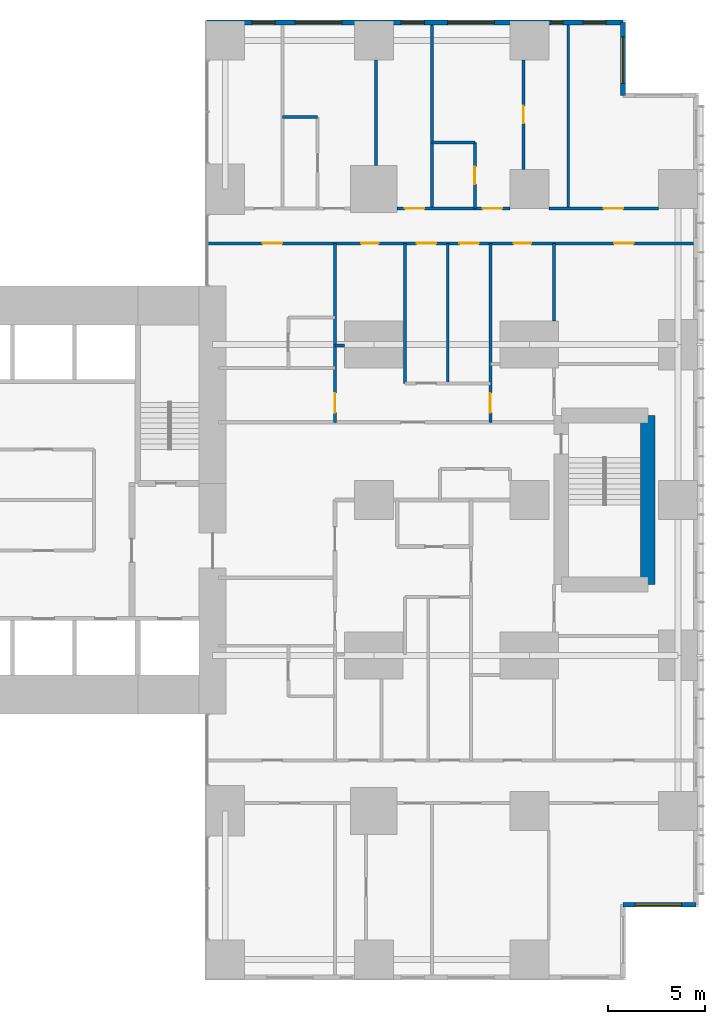
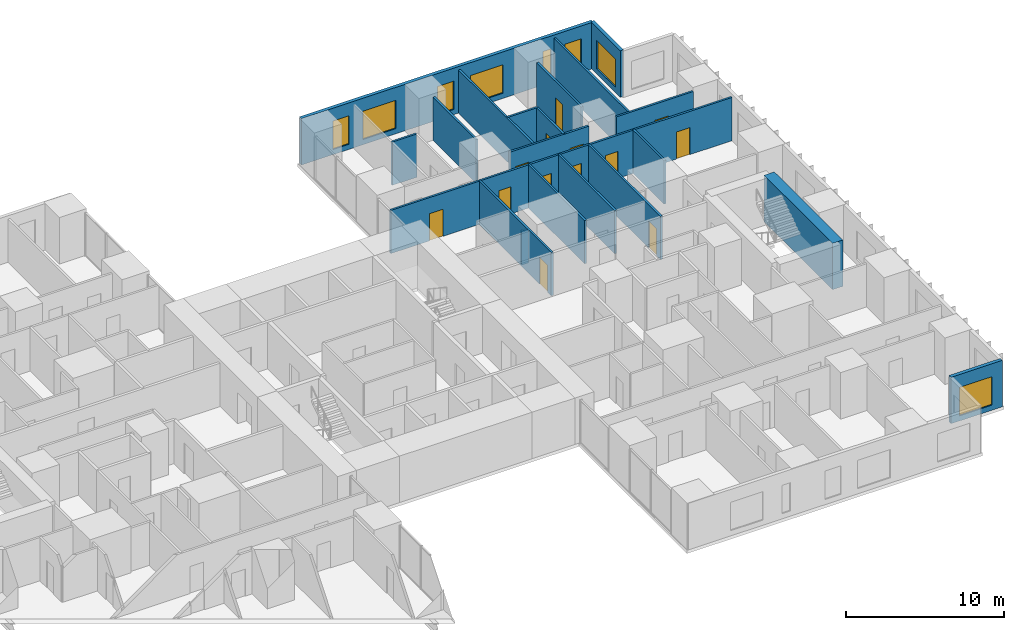
# One storey, part 18 of 20: 20 walls, 13 doors, 8 windows, 21 openings.
"""IFC4 building model written with IfcOpenShell, lengths in metres."""

from ifc_helpers import new_model, si_unit, direction, frame, frame_2d, origin, place, context, subcontext, project, spatial, rectangle, extrude, material, layer, layer_set, type_object, element, fill, save


model = new_model("IFC4")

# Units and contexts
model_context = context("Model", 3, precision=1e-05, world=origin(), true_north=direction((0.0, 1.0)))
body_context = subcontext(model_context, "Body", "Model", "MODEL_VIEW")
ifc_project = project(units=[si_unit("LENGTHUNIT", "METRE"), si_unit("AREAUNIT", "SQUARE_METRE"), si_unit("VOLUMEUNIT", "CUBIC_METRE"), si_unit("PLANEANGLEUNIT", "RADIAN"), si_unit("MASSUNIT", "GRAM", prefix="KILO")], contexts=[model_context])

# Site, building, storey
site_placement = place(None, origin())
site = spatial("IfcSite", under=ifc_project, at=site_placement, CompositionType="ELEMENT")
building_placement = place(site_placement, origin())
building = spatial("IfcBuilding", under=site, at=building_placement, Name="Cleftline Residences", CompositionType="ELEMENT")
storey_placement = place(building_placement, frame((0.0, 0.0, 146.60009765625)))
storey = spatial("IfcBuildingStorey", under=building, at=storey_placement, Name="L38", CompositionType="ELEMENT", Elevation=146.60009765625)

# Wall, opening, window
ifc_material_1 = material(Name="Rendered reinforced concrete blockwork", Category="masonry")
ifc_layer_1 = layer(ifc_material_1, 0.25)
ifc_layer_set_1 = layer_set([ifc_layer_1], Name="EXTERNAL WALL 250")
wall_type_1 = type_object("IfcWallType", Name="EXTERNAL WALL 250", PredefinedType="SOLIDWALL", material=ifc_layer_set_1)
wall_1_placement = place(storey_placement, frame((62.824951171875, 3.175048828125, 0.0), z_axis=(0.0, 0.0, 1.0), x_axis=(1.0, 0.0, 0.0)))
wall_1 = element("IfcWall", 1, at=wall_1_placement, inside=storey, type_object=wall_type_1, Name="External wall", PredefinedType="SOLIDWALL", context=body_context, shape_type="SweptSolid", body=[
    extrude(rectangle(XDim=3.75, YDim=0.25, at=frame_2d((1.875, 0.0))), origin(), (0.0, 0.0, 1.0), 3.599853515625),
])
opening_1_placement = place(wall_1_placement, frame((0.612548828125, 0.0, 0.39990234375)))
opening_1 = element("IfcOpeningElement", 2, at=opening_1_placement, cuts=wall_1, Name="Opening W12", PredefinedType="OPENING", context=body_context, shape_type="SweptSolid", body=[
    extrude(rectangle(XDim=2.39990234375, YDim=2.199951171875, at=frame_2d((1.199951171875, 1.10009765625))), frame((0.0, 0.135009765625, 0.0), z_axis=(0.0, -1.0, 0.0), x_axis=(1.0, 0.0, 0.0)), (0.0, 0.0, 1.0), 0.27001953125),
])
ifc_material_2 = material(Name="Aluminium frame, clear double glazing", Category="aluminium")
window_type_1 = type_object("IfcWindowType", Name="WINDOW 2400X2200", PartitioningType="DOUBLE_PANEL_VERTICAL", PredefinedType="WINDOW", material=ifc_material_2)
window_1_placement = place(opening_1_placement, origin())
window_1 = element("IfcWindow", 3, at=window_1_placement, inside=storey, type_object=window_type_1, Name="Window", OverallHeight=2.199951171875, OverallWidth=2.39990234375, PartitioningType="SINGLE_PANEL", PredefinedType="WINDOW", context=body_context, shape_type="SweptSolid", body=[
    extrude(rectangle(XDim=2.39990234375, YDim=2.199951171875, at=frame_2d((1.199951171875, 1.10009765625))), frame((0.0, 0.030029296875, 0.0), z_axis=(0.0, -1.0, 0.0), x_axis=(1.0, 0.0, 0.0)), (0.0, 0.0, 1.0), 0.06005859375),
])
fill(opening_1, window_1)

wall_2_placement = place(storey_placement, frame((62.824951171875, 44.824951171875, 0.0), z_axis=(0.0, 0.0, 1.0), x_axis=(0.0, 1.0, 0.0)))
wall_2 = element("IfcWall", 4, at=wall_2_placement, inside=storey, type_object=wall_type_1, Name="External wall", PredefinedType="SOLIDWALL", context=body_context, shape_type="SweptSolid", body=[
    extrude(rectangle(XDim=3.75, YDim=0.25, at=frame_2d((1.875, 0.0))), origin(), (0.0, 0.0, 1.0), 3.599853515625),
])
opening_2_placement = place(wall_2_placement, frame((0.612548828125, 0.0, 0.39990234375)))
opening_2 = element("IfcOpeningElement", 5, at=opening_2_placement, cuts=wall_2, Name="Opening W12", PredefinedType="OPENING", context=body_context, shape_type="SweptSolid", body=[
    extrude(rectangle(XDim=2.39990234375, YDim=2.199951171875, at=frame_2d((1.199951171875, 1.10009765625))), frame((0.0, 0.135009765625, 0.0), z_axis=(0.0, -1.0, 0.0), x_axis=(1.0, 0.0, 0.0)), (0.0, 0.0, 1.0), 0.27001953125),
])
window_2_placement = place(opening_2_placement, origin())
window_2 = element("IfcWindow", 6, at=window_2_placement, inside=storey, type_object=window_type_1, Name="Window", OverallHeight=2.199951171875, OverallWidth=2.39990234375, PartitioningType="SINGLE_PANEL", PredefinedType="WINDOW", context=body_context, shape_type="SweptSolid", body=[
    extrude(rectangle(XDim=2.39990234375, YDim=2.199951171875, at=frame_2d((1.199951171875, 1.10009765625))), frame((0.0, 0.030029296875, 0.0), z_axis=(0.0, -1.0, 0.0), x_axis=(1.0, 0.0, 0.0)), (0.0, 0.0, 1.0), 0.06005859375),
])
fill(opening_2, window_2)

# Wall, openings, windows
wall_3_placement = place(storey_placement, frame((62.824951171875, 48.574951171875, 0.0), z_axis=(0.0, 0.0, 1.0), x_axis=(-1.0, 0.0, 0.0)))
wall_3 = element("IfcWall", 7, at=wall_3_placement, inside=storey, type_object=wall_type_1, Name="External wall", PredefinedType="SOLIDWALL", context=body_context, shape_type="SweptSolid", body=[
    extrude(rectangle(XDim=21.39990234375, YDim=0.25, at=frame_2d((10.699951171875, 0.0))), origin(), (0.0, 0.0, 1.0), 3.599853515625),
])
opening_3_placement = place(wall_3_placement, frame((0.875, 0.0, 0.39990234375)))
opening_3 = element("IfcOpeningElement", 8, at=opening_3_placement, cuts=wall_3, Name="Opening W11", PredefinedType="OPENING", context=body_context, shape_type="SweptSolid", body=[
    extrude(rectangle(XDim=1.199951171875, YDim=2.199951171875, at=frame_2d((0.60009765625, 1.10009765625))), frame((0.0, 0.135009765625, 0.0), z_axis=(0.0, -1.0, 0.0), x_axis=(1.0, 0.0, 0.0)), (0.0, 0.0, 1.0), 0.27001953125),
])
opening_4_placement = place(wall_3_placement, frame((3.10009765625, 0.0, 0.39990234375)))
opening_4 = element("IfcOpeningElement", 9, at=opening_4_placement, cuts=wall_3, Name="Opening W10", PredefinedType="OPENING", context=body_context, shape_type="SweptSolid", body=[
    extrude(rectangle(XDim=0.60009765625, YDim=2.199951171875, at=frame_2d((0.300048828125, 1.10009765625))), frame((0.0, 0.135009765625, 0.0), z_axis=(0.0, -1.0, 0.0), x_axis=(1.0, 0.0, 0.0)), (0.0, 0.0, 1.0), 0.27001953125),
])
opening_5_placement = place(wall_3_placement, frame((6.625, 0.0, 0.39990234375)))
opening_5 = element("IfcOpeningElement", 10, at=opening_5_placement, cuts=wall_3, Name="Opening W12", PredefinedType="OPENING", context=body_context, shape_type="SweptSolid", body=[
    extrude(rectangle(XDim=2.39990234375, YDim=2.199951171875, at=frame_2d((1.199951171875, 1.10009765625))), frame((0.0, 0.135009765625, 0.0), z_axis=(0.0, -1.0, 0.0), x_axis=(1.0, 0.0, 0.0)), (0.0, 0.0, 1.0), 0.27001953125),
])
opening_6_placement = place(wall_3_placement, frame((10.22509765625, 0.0, 0.39990234375)))
opening_6 = element("IfcOpeningElement", 11, at=opening_6_placement, cuts=wall_3, Name="Opening W11", PredefinedType="OPENING", context=body_context, shape_type="SweptSolid", body=[
    extrude(rectangle(XDim=1.199951171875, YDim=2.199951171875, at=frame_2d((0.60009765625, 1.10009765625))), frame((0.0, 0.135009765625, 0.0), z_axis=(0.0, -1.0, 0.0), x_axis=(1.0, 0.0, 0.0)), (0.0, 0.0, 1.0), 0.27001953125),
])
opening_7_placement = place(wall_3_placement, frame((14.47509765625, 0.0, 0.39990234375)))
opening_7 = element("IfcOpeningElement", 12, at=opening_7_placement, cuts=wall_3, Name="Opening W12", PredefinedType="OPENING", context=body_context, shape_type="SweptSolid", body=[
    extrude(rectangle(XDim=2.39990234375, YDim=2.199951171875, at=frame_2d((1.199951171875, 1.10009765625))), frame((0.0, 0.135009765625, 0.0), z_axis=(0.0, -1.0, 0.0), x_axis=(1.0, 0.0, 0.0)), (0.0, 0.0, 1.0), 0.27001953125),
])
opening_8_placement = place(wall_3_placement, frame((17.89990234375, 0.0, 0.39990234375)))
opening_8 = element("IfcOpeningElement", 13, at=opening_8_placement, cuts=wall_3, Name="Opening W11", PredefinedType="OPENING", context=body_context, shape_type="SweptSolid", body=[
    extrude(rectangle(XDim=1.199951171875, YDim=2.199951171875, at=frame_2d((0.60009765625, 1.10009765625))), frame((0.0, 0.135009765625, 0.0), z_axis=(0.0, -1.0, 0.0), x_axis=(1.0, 0.0, 0.0)), (0.0, 0.0, 1.0), 0.27001953125),
])
ifc_material_3 = material(Name="Aluminium frame, clear double glazing", Category="aluminium")
window_type_2 = type_object("IfcWindowType", Name="WINDOW 1200X2200", PartitioningType="DOUBLE_PANEL_VERTICAL", PredefinedType="WINDOW", material=ifc_material_3)
window_3_placement = place(opening_3_placement, origin())
window_3 = element("IfcWindow", 14, at=window_3_placement, inside=storey, type_object=window_type_2, Name="Window", OverallHeight=2.199951171875, OverallWidth=1.199951171875, PartitioningType="SINGLE_PANEL", PredefinedType="WINDOW", context=body_context, shape_type="SweptSolid", body=[
    extrude(rectangle(XDim=1.199951171875, YDim=2.199951171875, at=frame_2d((0.60009765625, 1.10009765625))), frame((0.0, 0.030029296875, 0.0), z_axis=(0.0, -1.0, 0.0), x_axis=(1.0, 0.0, 0.0)), (0.0, 0.0, 1.0), 0.06005859375),
])
fill(opening_3, window_3)
window_4_placement = place(opening_6_placement, origin())
window_4 = element("IfcWindow", 15, at=window_4_placement, inside=storey, type_object=window_type_2, Name="Window", OverallHeight=2.199951171875, OverallWidth=1.199951171875, PartitioningType="SINGLE_PANEL", PredefinedType="WINDOW", context=body_context, shape_type="SweptSolid", body=[
    extrude(rectangle(XDim=1.199951171875, YDim=2.199951171875, at=frame_2d((0.60009765625, 1.10009765625))), frame((0.0, 0.030029296875, 0.0), z_axis=(0.0, -1.0, 0.0), x_axis=(1.0, 0.0, 0.0)), (0.0, 0.0, 1.0), 0.06005859375),
])
fill(opening_6, window_4)
window_5_placement = place(opening_8_placement, origin())
window_5 = element("IfcWindow", 16, at=window_5_placement, inside=storey, type_object=window_type_2, Name="Window", OverallHeight=2.199951171875, OverallWidth=1.199951171875, PartitioningType="SINGLE_PANEL", PredefinedType="WINDOW", context=body_context, shape_type="SweptSolid", body=[
    extrude(rectangle(XDim=1.199951171875, YDim=2.199951171875, at=frame_2d((0.60009765625, 1.10009765625))), frame((0.0, 0.030029296875, 0.0), z_axis=(0.0, -1.0, 0.0), x_axis=(1.0, 0.0, 0.0)), (0.0, 0.0, 1.0), 0.06005859375),
])
fill(opening_8, window_5)
window_6_placement = place(opening_5_placement, origin())
window_6 = element("IfcWindow", 17, at=window_6_placement, inside=storey, type_object=window_type_1, Name="Window", OverallHeight=2.199951171875, OverallWidth=2.39990234375, PartitioningType="SINGLE_PANEL", PredefinedType="WINDOW", context=body_context, shape_type="SweptSolid", body=[
    extrude(rectangle(XDim=2.39990234375, YDim=2.199951171875, at=frame_2d((1.199951171875, 1.10009765625))), frame((0.0, 0.030029296875, 0.0), z_axis=(0.0, -1.0, 0.0), x_axis=(1.0, 0.0, 0.0)), (0.0, 0.0, 1.0), 0.06005859375),
])
fill(opening_5, window_6)
window_7_placement = place(opening_7_placement, origin())
window_7 = element("IfcWindow", 18, at=window_7_placement, inside=storey, type_object=window_type_1, Name="Window", OverallHeight=2.199951171875, OverallWidth=2.39990234375, PartitioningType="SINGLE_PANEL", PredefinedType="WINDOW", context=body_context, shape_type="SweptSolid", body=[
    extrude(rectangle(XDim=2.39990234375, YDim=2.199951171875, at=frame_2d((1.199951171875, 1.10009765625))), frame((0.0, 0.030029296875, 0.0), z_axis=(0.0, -1.0, 0.0), x_axis=(1.0, 0.0, 0.0)), (0.0, 0.0, 1.0), 0.06005859375),
])
fill(opening_7, window_7)
ifc_material_4 = material(Name="Aluminium frame, clear double glazing", Category="aluminium")
window_type_3 = type_object("IfcWindowType", Name="WINDOW 600X2200", PartitioningType="DOUBLE_PANEL_VERTICAL", PredefinedType="WINDOW", material=ifc_material_4)
window_8_placement = place(opening_4_placement, origin())
window_8 = element("IfcWindow", 19, at=window_8_placement, inside=storey, type_object=window_type_3, Name="Window", OverallHeight=2.199951171875, OverallWidth=0.60009765625, PartitioningType="SINGLE_PANEL", PredefinedType="WINDOW", context=body_context, shape_type="SweptSolid", body=[
    extrude(rectangle(XDim=0.60009765625, YDim=2.199951171875, at=frame_2d((0.300048828125, 1.10009765625))), frame((0.0, 0.030029296875, 0.0), z_axis=(0.0, -1.0, 0.0), x_axis=(1.0, 0.0, 0.0)), (0.0, 0.0, 1.0), 0.06005859375),
])
fill(opening_4, window_8)

# Wall
ifc_material_5 = material(Name="Gypsum board on steel studs", Category="steel")
ifc_layer_2 = layer(ifc_material_5, 0.14990234375)
ifc_layer_set_2 = layer_set([ifc_layer_2], Name="PARTITION 150")
wall_type_2 = type_object("IfcWallType", Name="PARTITION 150", PredefinedType="PARTITIONING", material=ifc_layer_set_2)
wall_4_placement = place(storey_placement, frame((48.0, 31.949951171875, 0.0), z_axis=(0.0, 0.0, 1.0), x_axis=(1.0, 0.0, 0.0)))
element("IfcWall", 20, at=wall_4_placement, inside=storey, type_object=wall_type_2, Name="Partition", PredefinedType="PARTITIONING", context=body_context, shape_type="SweptSolid", body=[
    extrude(rectangle(XDim=0.5, YDim=0.14990234375, at=frame_2d((0.25, 0.0))), origin(), (0.0, 0.0, 1.0), 2.6337890625),
])

# Wall, openings, doors
wall_5_placement = place(storey_placement, frame((41.43896484375, 37.199951171875, 0.0), z_axis=(0.0, 0.0, 1.0), x_axis=(1.0, 0.0, 0.0)))
wall_5 = element("IfcWall", 21, at=wall_5_placement, inside=storey, type_object=wall_type_2, Name="Partition", PredefinedType="PARTITIONING", context=body_context, shape_type="SweptSolid", body=[
    extrude(rectangle(XDim=25.010986328125, YDim=0.14990234375, at=frame_2d((12.50537109375, 0.0))), origin(), (0.0, 0.0, 1.0), 3.349853515625),
])
opening_9_placement = place(wall_5_placement, frame((10.760986328125, 0.0, 0.0)))
opening_9 = element("IfcOpeningElement", 22, at=opening_9_placement, cuts=wall_5, Name="Opening D2", PredefinedType="OPENING", context=body_context, shape_type="SweptSolid", body=[
    extrude(rectangle(XDim=1.0, YDim=2.10009765625, at=frame_2d((0.5, 1.050048828125))), frame((0.0, 0.0849609375, 0.0), z_axis=(0.0, -1.0, 0.0), x_axis=(1.0, 0.0, 0.0)), (0.0, 0.0, 1.0), 0.169921875),
])
opening_10_placement = place(wall_5_placement, frame((20.923583984375, 0.0, 0.0)))
opening_10 = element("IfcOpeningElement", 23, at=opening_10_placement, cuts=wall_5, Name="Opening D2", PredefinedType="OPENING", context=body_context, shape_type="SweptSolid", body=[
    extrude(rectangle(XDim=1.0, YDim=2.10009765625, at=frame_2d((0.5, 1.050048828125))), frame((0.0, 0.0849609375, 0.0), z_axis=(0.0, -1.0, 0.0), x_axis=(1.0, 0.0, 0.0)), (0.0, 0.0, 1.0), 0.169921875),
])
opening_11_placement = place(wall_5_placement, frame((15.74853515625, 0.0, 0.0)))
opening_11 = element("IfcOpeningElement", 24, at=opening_11_placement, cuts=wall_5, Name="Opening D1", PredefinedType="OPENING", context=body_context, shape_type="SweptSolid", body=[
    extrude(rectangle(XDim=0.89990234375, YDim=2.10009765625, at=frame_2d((0.449951171875, 1.050048828125))), frame((0.0, 0.0849609375, 0.0), z_axis=(0.0, -1.0, 0.0), x_axis=(1.0, 0.0, 0.0)), (0.0, 0.0, 1.0), 0.169921875),
])
opening_12_placement = place(wall_5_placement, frame((12.9609375, 0.0, 0.0)))
opening_12 = element("IfcOpeningElement", 25, at=opening_12_placement, cuts=wall_5, Name="Opening D2", PredefinedType="OPENING", context=body_context, shape_type="SweptSolid", body=[
    extrude(rectangle(XDim=1.0, YDim=2.10009765625, at=frame_2d((0.5, 1.050048828125))), frame((0.0, 0.0849609375, 0.0), z_axis=(0.0, -1.0, 0.0), x_axis=(1.0, 0.0, 0.0)), (0.0, 0.0, 1.0), 0.169921875),
])
opening_13_placement = place(wall_5_placement, frame((7.910888671875, 0.0, 0.0)))
opening_13 = element("IfcOpeningElement", 26, at=opening_13_placement, cuts=wall_5, Name="Opening D1", PredefinedType="OPENING", context=body_context, shape_type="SweptSolid", body=[
    extrude(rectangle(XDim=0.89990234375, YDim=2.10009765625, at=frame_2d((0.449951171875, 1.050048828125))), frame((0.0, 0.0849609375, 0.0), z_axis=(0.0, -1.0, 0.0), x_axis=(1.0, 0.0, 0.0)), (0.0, 0.0, 1.0), 0.169921875),
])
opening_14_placement = place(wall_5_placement, frame((2.8359375, 0.0, 0.0)))
opening_14 = element("IfcOpeningElement", 27, at=opening_14_placement, cuts=wall_5, Name="Opening D2", PredefinedType="OPENING", context=body_context, shape_type="SweptSolid", body=[
    extrude(rectangle(XDim=1.0, YDim=2.10009765625, at=frame_2d((0.5, 1.050048828125))), frame((0.0, 0.0849609375, 0.0), z_axis=(0.0, -1.0, 0.0), x_axis=(1.0, 0.0, 0.0)), (0.0, 0.0, 1.0), 0.169921875),
])
ifc_material_6 = material(Name="Timber veneer on solid core", Category="wood")
door_type_1 = type_object("IfcDoorType", Name="DOOR 1000X2100", OperationType="SINGLE_SWING_LEFT", PredefinedType="DOOR", material=ifc_material_6)
door_1_placement = place(opening_9_placement, origin())
door_1 = element("IfcDoor", 28, at=door_1_placement, inside=storey, type_object=door_type_1, Name="Door to residence hall", OperationType="SINGLE_SWING_RIGHT", OverallHeight=2.10009765625, OverallWidth=1.0, PredefinedType="DOOR", context=body_context, shape_type="SweptSolid", body=[
    extrude(rectangle(XDim=1.0, YDim=2.10009765625, at=frame_2d((0.5, 1.050048828125))), frame((0.0, 0.02490234375, 0.0), z_axis=(0.0, -1.0, 0.0), x_axis=(1.0, 0.0, 0.0)), (0.0, 0.0, 1.0), 0.050048828125),
])
fill(opening_9, door_1)
door_2_placement = place(opening_10_placement, origin())
door_2 = element("IfcDoor", 29, at=door_2_placement, inside=storey, type_object=door_type_1, Name="Door to master bedroom", OperationType="SINGLE_SWING_LEFT", OverallHeight=2.10009765625, OverallWidth=1.0, PredefinedType="DOOR", context=body_context, shape_type="SweptSolid", body=[
    extrude(rectangle(XDim=1.0, YDim=2.10009765625, at=frame_2d((0.5, 1.050048828125))), frame((0.0, 0.02490234375, 0.0), z_axis=(0.0, -1.0, 0.0), x_axis=(1.0, 0.0, 0.0)), (0.0, 0.0, 1.0), 0.050048828125),
])
fill(opening_10, door_2)
door_3_placement = place(opening_12_placement, origin())
door_3 = element("IfcDoor", 30, at=door_3_placement, inside=storey, type_object=door_type_1, Name="Door to family room", OperationType="SINGLE_SWING_LEFT", OverallHeight=2.10009765625, OverallWidth=1.0, PredefinedType="DOOR", context=body_context, shape_type="SweptSolid", body=[
    extrude(rectangle(XDim=1.0, YDim=2.10009765625, at=frame_2d((0.5, 1.050048828125))), frame((0.0, 0.02490234375, 0.0), z_axis=(0.0, -1.0, 0.0), x_axis=(1.0, 0.0, 0.0)), (0.0, 0.0, 1.0), 0.050048828125),
])
fill(opening_12, door_3)
door_4_placement = place(opening_14_placement, origin())
door_4 = element("IfcDoor", 31, at=door_4_placement, inside=storey, type_object=door_type_1, Name="Door to bedroom 4", OperationType="SINGLE_SWING_RIGHT", OverallHeight=2.10009765625, OverallWidth=1.0, PredefinedType="DOOR", context=body_context, shape_type="SweptSolid", body=[
    extrude(rectangle(XDim=1.0, YDim=2.10009765625, at=frame_2d((0.5, 1.050048828125))), frame((0.0, 0.02490234375, 0.0), z_axis=(0.0, -1.0, 0.0), x_axis=(1.0, 0.0, 0.0)), (0.0, 0.0, 1.0), 0.050048828125),
])
fill(opening_14, door_4)
ifc_material_7 = material(Name="Timber veneer on solid core", Category="wood")
door_type_2 = type_object("IfcDoorType", Name="DOOR 900X2100", OperationType="SINGLE_SWING_LEFT", PredefinedType="DOOR", material=ifc_material_7)
door_5_placement = place(opening_11_placement, origin())
door_5 = element("IfcDoor", 32, at=door_5_placement, inside=storey, type_object=door_type_2, Name="Door to master bathroom", OperationType="SINGLE_SWING_LEFT", OverallHeight=2.10009765625, OverallWidth=0.89990234375, PredefinedType="DOOR", context=body_context, shape_type="SweptSolid", body=[
    extrude(rectangle(XDim=0.89990234375, YDim=2.10009765625, at=frame_2d((0.449951171875, 1.050048828125))), frame((0.0, 0.02490234375, 0.0), z_axis=(0.0, -1.0, 0.0), x_axis=(1.0, 0.0, 0.0)), (0.0, 0.0, 1.0), 0.050048828125),
])
fill(opening_11, door_5)
door_6_placement = place(opening_13_placement, origin())
door_6 = element("IfcDoor", 33, at=door_6_placement, inside=storey, type_object=door_type_2, Name="Door to master dressing room", OperationType="SINGLE_SWING_RIGHT", OverallHeight=2.10009765625, OverallWidth=0.89990234375, PredefinedType="DOOR", context=body_context, shape_type="SweptSolid", body=[
    extrude(rectangle(XDim=0.89990234375, YDim=2.10009765625, at=frame_2d((0.449951171875, 1.050048828125))), frame((0.0, 0.02490234375, 0.0), z_axis=(0.0, -1.0, 0.0), x_axis=(1.0, 0.0, 0.0)), (0.0, 0.0, 1.0), 0.050048828125),
])
fill(opening_13, door_6)

wall_6_placement = place(storey_placement, frame((51.199951171875, 39.0, 0.0), z_axis=(0.0, 0.0, 1.0), x_axis=(1.0, 0.0, 0.0)))
wall_6 = element("IfcWall", 34, at=wall_6_placement, inside=storey, type_object=wall_type_2, Name="Partition", PredefinedType="PARTITIONING", context=body_context, shape_type="SweptSolid", body=[
    extrude(rectangle(XDim=5.800048828125, YDim=0.14990234375, at=frame_2d((2.89990234375, 0.0))), origin(), (0.0, 0.0, 1.0), 3.349853515625),
])
opening_15_placement = place(wall_6_placement, frame((4.39990234375, 0.0, 0.0)))
opening_15 = element("IfcOpeningElement", 35, at=opening_15_placement, cuts=wall_6, Name="Opening D2", PredefinedType="OPENING", context=body_context, shape_type="SweptSolid", body=[
    extrude(rectangle(XDim=1.0, YDim=2.10009765625, at=frame_2d((0.5, 1.050048828125))), frame((0.0, 0.0849609375, 0.0), z_axis=(0.0, -1.0, 0.0), x_axis=(1.0, 0.0, 0.0)), (0.0, 0.0, 1.0), 0.169921875),
])
opening_16_placement = place(wall_6_placement, frame((0.39990234375, 0.0, 0.0)))
opening_16 = element("IfcOpeningElement", 36, at=opening_16_placement, cuts=wall_6, Name="Opening D2", PredefinedType="OPENING", context=body_context, shape_type="SweptSolid", body=[
    extrude(rectangle(XDim=1.0, YDim=2.10009765625, at=frame_2d((0.5, 1.050048828125))), frame((0.0, 0.0849609375, 0.0), z_axis=(0.0, -1.0, 0.0), x_axis=(1.0, 0.0, 0.0)), (0.0, 0.0, 1.0), 0.169921875),
])
door_7_placement = place(opening_15_placement, origin())
door_7 = element("IfcDoor", 37, at=door_7_placement, inside=storey, type_object=door_type_1, Name="Door to bedroom 2", OperationType="SINGLE_SWING_LEFT", OverallHeight=2.10009765625, OverallWidth=1.0, PredefinedType="DOOR", context=body_context, shape_type="SweptSolid", body=[
    extrude(rectangle(XDim=1.0, YDim=2.10009765625, at=frame_2d((0.5, 1.050048828125))), frame((0.0, 0.02490234375, 0.0), z_axis=(0.0, -1.0, 0.0), x_axis=(1.0, 0.0, 0.0)), (0.0, 0.0, 1.0), 0.050048828125),
])
fill(opening_15, door_7)
door_8_placement = place(opening_16_placement, origin())
door_8 = element("IfcDoor", 38, at=door_8_placement, inside=storey, type_object=door_type_1, Name="Door to bedroom 3 sitting room", OperationType="SINGLE_SWING_RIGHT", OverallHeight=2.10009765625, OverallWidth=1.0, PredefinedType="DOOR", context=body_context, shape_type="SweptSolid", body=[
    extrude(rectangle(XDim=1.0, YDim=2.10009765625, at=frame_2d((0.5, 1.050048828125))), frame((0.0, 0.02490234375, 0.0), z_axis=(0.0, -1.0, 0.0), x_axis=(1.0, 0.0, 0.0)), (0.0, 0.0, 1.0), 0.050048828125),
])
fill(opening_16, door_8)

# Wall, opening, door
wall_7_placement = place(storey_placement, frame((59.0, 39.0, 0.0), z_axis=(0.0, 0.0, 1.0), x_axis=(1.0, 0.0, 0.0)))
wall_7 = element("IfcWall", 39, at=wall_7_placement, inside=storey, type_object=wall_type_2, Name="Partition", PredefinedType="PARTITIONING", context=body_context, shape_type="SweptSolid", body=[
    extrude(rectangle(XDim=5.64990234375, YDim=0.14990234375, at=frame_2d((2.824951171875, 0.0))), origin(), (0.0, 0.0, 1.0), 3.349853515625),
])
opening_17_placement = place(wall_7_placement, frame((2.824951171875, 0.0, 0.0)))
opening_17 = element("IfcOpeningElement", 40, at=opening_17_placement, cuts=wall_7, Name="Opening D2", PredefinedType="OPENING", context=body_context, shape_type="SweptSolid", body=[
    extrude(rectangle(XDim=1.0, YDim=2.10009765625, at=frame_2d((0.5, 1.050048828125))), frame((0.0, 0.0849609375, 0.0), z_axis=(0.0, -1.0, 0.0), x_axis=(1.0, 0.0, 0.0)), (0.0, 0.0, 1.0), 0.169921875),
])
door_9_placement = place(opening_17_placement, origin())
door_9 = element("IfcDoor", 41, at=door_9_placement, inside=storey, type_object=door_type_1, Name="Door to gym", OperationType="SINGLE_SWING_LEFT", OverallHeight=2.10009765625, OverallWidth=1.0, PredefinedType="DOOR", context=body_context, shape_type="SweptSolid", body=[
    extrude(rectangle(XDim=1.0, YDim=2.10009765625, at=frame_2d((0.5, 1.050048828125))), frame((0.0, 0.02490234375, 0.0), z_axis=(0.0, -1.0, 0.0), x_axis=(1.0, 0.0, 0.0)), (0.0, 0.0, 1.0), 0.050048828125),
])
fill(opening_17, door_9)

# Walls
wall_8_placement = place(storey_placement, frame((53.0, 42.39990234375, 0.0), z_axis=(0.0, 0.0, 1.0), x_axis=(1.0, 0.0, 0.0)))
element("IfcWall", 42, at=wall_8_placement, inside=storey, type_object=wall_type_2, Name="Partition", PredefinedType="PARTITIONING", context=body_context, shape_type="SweptSolid", body=[
    extrude(rectangle(XDim=2.199951171875, YDim=0.14990234375, at=frame_2d((1.10009765625, 0.0))), origin(), (0.0, 0.0, 1.0), 3.349853515625),
])
wall_9_placement = place(storey_placement, frame((45.300048828125, 43.699951171875, 0.0), z_axis=(0.0, 0.0, 1.0), x_axis=(1.0, 0.0, 0.0)))
element("IfcWall", 43, at=wall_9_placement, inside=storey, type_object=wall_type_2, Name="Partition", PredefinedType="PARTITIONING", context=body_context, shape_type="SweptSolid", body=[
    extrude(rectangle(XDim=1.800048828125, YDim=0.14990234375, at=frame_2d((0.89990234375, 0.0))), origin(), (0.0, 0.0, 1.0), 3.349853515625),
])

# Wall, opening, door
wall_10_placement = place(storey_placement, frame((48.0, 28.0, 0.0), z_axis=(0.0, 0.0, 1.0), x_axis=(0.0, 1.0, 0.0)))
wall_10 = element("IfcWall", 44, at=wall_10_placement, inside=storey, type_object=wall_type_2, Name="Partition", PredefinedType="PARTITIONING", context=body_context, shape_type="SweptSolid", body=[
    extrude(rectangle(XDim=9.199951171875, YDim=0.14990234375, at=frame_2d((4.60009765625, 0.0))), origin(), (0.0, 0.0, 1.0), 3.349853515625),
])
opening_18_placement = place(wall_10_placement, frame((0.5, 0.0, 0.0)))
opening_18 = element("IfcOpeningElement", 45, at=opening_18_placement, cuts=wall_10, Name="Opening D2", PredefinedType="OPENING", context=body_context, shape_type="SweptSolid", body=[
    extrude(rectangle(XDim=1.0, YDim=2.10009765625, at=frame_2d((0.5, 1.050048828125))), frame((0.0, 0.0849609375, 0.0), z_axis=(0.0, -1.0, 0.0), x_axis=(1.0, 0.0, 0.0)), (0.0, 0.0, 1.0), 0.169921875),
])
door_10_placement = place(opening_18_placement, origin())
door_10 = element("IfcDoor", 46, at=door_10_placement, inside=storey, type_object=door_type_1, Name="Door to morning kitchen", OperationType="SINGLE_SWING_RIGHT", OverallHeight=2.10009765625, OverallWidth=1.0, PredefinedType="DOOR", context=body_context, shape_type="SweptSolid", body=[
    extrude(rectangle(XDim=1.0, YDim=2.10009765625, at=frame_2d((0.5, 1.050048828125))), frame((0.0, 0.02490234375, 0.0), z_axis=(0.0, -1.0, 0.0), x_axis=(1.0, 0.0, 0.0)), (0.0, 0.0, 1.0), 0.050048828125),
])
fill(opening_18, door_10)

# Walls
wall_11_placement = place(storey_placement, frame((50.10009765625, 41.199951171875, 0.0), z_axis=(0.0, 0.0, 1.0), x_axis=(0.0, 1.0, 0.0)))
element("IfcWall", 47, at=wall_11_placement, inside=storey, type_object=wall_type_2, Name="Partition", PredefinedType="PARTITIONING", context=body_context, shape_type="SweptSolid", body=[
    extrude(rectangle(XDim=5.449951171875, YDim=0.14990234375, at=frame_2d((2.72509765625, 0.0))), origin(), (0.0, 0.0, 1.0), 3.349853515625),
])
wall_12_placement = place(storey_placement, frame((51.60009765625, 30.0, 0.0), z_axis=(0.0, 0.0, 1.0), x_axis=(0.0, 1.0, 0.0)))
element("IfcWall", 48, at=wall_12_placement, inside=storey, type_object=wall_type_2, Name="Partition", PredefinedType="PARTITIONING", context=body_context, shape_type="SweptSolid", body=[
    extrude(rectangle(XDim=7.199951171875, YDim=0.14990234375, at=frame_2d((3.60009765625, 0.0))), origin(), (0.0, 0.0, 1.0), 3.349853515625),
])
wall_13_placement = place(storey_placement, frame((53.0, 39.0, 0.0), z_axis=(0.0, 0.0, 1.0), x_axis=(0.0, 1.0, 0.0)))
element("IfcWall", 49, at=wall_13_placement, inside=storey, type_object=wall_type_2, Name="Partition", PredefinedType="PARTITIONING", context=body_context, shape_type="SweptSolid", body=[
    extrude(rectangle(XDim=9.449951171875, YDim=0.14990234375, at=frame_2d((4.72509765625, 0.0))), origin(), (0.0, 0.0, 1.0), 3.349853515625),
])
wall_14_placement = place(storey_placement, frame((53.800048828125, 30.0, 0.0), z_axis=(0.0, 0.0, 1.0), x_axis=(0.0, 1.0, 0.0)))
element("IfcWall", 50, at=wall_14_placement, inside=storey, type_object=wall_type_2, Name="Partition", PredefinedType="PARTITIONING", context=body_context, shape_type="SweptSolid", body=[
    extrude(rectangle(XDim=7.199951171875, YDim=0.14990234375, at=frame_2d((3.60009765625, 0.0))), origin(), (0.0, 0.0, 1.0), 3.349853515625),
])

# Wall, opening, door
wall_15_placement = place(storey_placement, frame((55.199951171875, 39.0, 0.0), z_axis=(0.0, 0.0, 1.0), x_axis=(0.0, 1.0, 0.0)))
wall_15 = element("IfcWall", 51, at=wall_15_placement, inside=storey, type_object=wall_type_2, Name="Partition", PredefinedType="PARTITIONING", context=body_context, shape_type="SweptSolid", body=[
    extrude(rectangle(XDim=3.39990234375, YDim=0.14990234375, at=frame_2d((1.699951171875, 0.0))), origin(), (0.0, 0.0, 1.0), 3.349853515625),
])
opening_19_placement = place(wall_15_placement, frame((1.25, 0.0, 0.0)))
opening_19 = element("IfcOpeningElement", 52, at=opening_19_placement, cuts=wall_15, Name="Opening D1", PredefinedType="OPENING", context=body_context, shape_type="SweptSolid", body=[
    extrude(rectangle(XDim=0.89990234375, YDim=2.10009765625, at=frame_2d((0.449951171875, 1.050048828125))), frame((0.0, 0.0849609375, 0.0), z_axis=(0.0, -1.0, 0.0), x_axis=(1.0, 0.0, 0.0)), (0.0, 0.0, 1.0), 0.169921875),
])
door_11_placement = place(opening_19_placement, origin())
door_11 = element("IfcDoor", 53, at=door_11_placement, inside=storey, type_object=door_type_2, Name="Door to en-suite bathroom 2", OperationType="SINGLE_SWING_LEFT", OverallHeight=2.10009765625, OverallWidth=0.89990234375, PredefinedType="DOOR", context=body_context, shape_type="SweptSolid", body=[
    extrude(rectangle(XDim=0.89990234375, YDim=2.10009765625, at=frame_2d((0.449951171875, 1.050048828125))), frame((0.0, 0.02490234375, 0.0), z_axis=(0.0, -1.0, 0.0), x_axis=(1.0, 0.0, 0.0)), (0.0, 0.0, 1.0), 0.050048828125),
])
fill(opening_19, door_11)

wall_16_placement = place(storey_placement, frame((56.0, 28.0, 0.0), z_axis=(0.0, 0.0, 1.0), x_axis=(0.0, 1.0, 0.0)))
wall_16 = element("IfcWall", 54, at=wall_16_placement, inside=storey, type_object=wall_type_2, Name="Partition", PredefinedType="PARTITIONING", context=body_context, shape_type="SweptSolid", body=[
    extrude(rectangle(XDim=9.199951171875, YDim=0.14990234375, at=frame_2d((4.60009765625, 0.0))), origin(), (0.0, 0.0, 1.0), 3.349853515625),
])
opening_20_placement = place(wall_16_placement, frame((0.5, 0.0, 0.0)))
opening_20 = element("IfcOpeningElement", 55, at=opening_20_placement, cuts=wall_16, Name="Opening D2F30", PredefinedType="OPENING", context=body_context, shape_type="SweptSolid", body=[
    extrude(rectangle(XDim=1.0, YDim=2.10009765625, at=frame_2d((0.5, 1.050048828125))), frame((0.0, 0.0849609375, 0.0), z_axis=(0.0, -1.0, 0.0), x_axis=(1.0, 0.0, 0.0)), (0.0, 0.0, 1.0), 0.169921875),
])
ifc_material_8 = material(Name="Timber veneer on solid core", Category="wood")
door_type_3 = type_object("IfcDoorType", Name="DOOR 1000X2100 EI 30", OperationType="SINGLE_SWING_LEFT", PredefinedType="DOOR", material=ifc_material_8)
door_12_placement = place(opening_20_placement, origin())
door_12 = element("IfcDoor", 56, at=door_12_placement, inside=storey, type_object=door_type_3, Name="Door to residence lobby (service)", OperationType="SINGLE_SWING_RIGHT", OverallHeight=2.10009765625, OverallWidth=1.0, PredefinedType="DOOR", context=body_context, shape_type="SweptSolid", body=[
    extrude(rectangle(XDim=1.0, YDim=2.10009765625, at=frame_2d((0.5, 1.050048828125))), frame((0.0, 0.02490234375, 0.0), z_axis=(0.0, -1.0, 0.0), x_axis=(1.0, 0.0, 0.0)), (0.0, 0.0, 1.0), 0.050048828125),
])
fill(opening_20, door_12)

wall_17_placement = place(storey_placement, frame((57.699951171875, 41.0, 0.0), z_axis=(0.0, 0.0, 1.0), x_axis=(0.0, 1.0, 0.0)))
wall_17 = element("IfcWall", 57, at=wall_17_placement, inside=storey, type_object=wall_type_2, Name="Partition", PredefinedType="PARTITIONING", context=body_context, shape_type="SweptSolid", body=[
    extrude(rectangle(XDim=5.64990234375, YDim=0.14990234375, at=frame_2d((2.824951171875, 0.0))), origin(), (0.0, 0.0, 1.0), 3.349853515625),
])
opening_21_placement = place(wall_17_placement, frame((2.375, 0.0, 0.0)))
opening_21 = element("IfcOpeningElement", 58, at=opening_21_placement, cuts=wall_17, Name="Opening D1", PredefinedType="OPENING", context=body_context, shape_type="SweptSolid", body=[
    extrude(rectangle(XDim=0.89990234375, YDim=2.10009765625, at=frame_2d((0.449951171875, 1.050048828125))), frame((0.0, 0.0849609375, 0.0), z_axis=(0.0, -1.0, 0.0), x_axis=(1.0, 0.0, 0.0)), (0.0, 0.0, 1.0), 0.169921875),
])
door_13_placement = place(opening_21_placement, origin())
door_13 = element("IfcDoor", 59, at=door_13_placement, inside=storey, type_object=door_type_2, Name="Door to walk-in wardrobe", OperationType="SINGLE_SWING_LEFT", OverallHeight=2.10009765625, OverallWidth=0.89990234375, PredefinedType="DOOR", context=body_context, shape_type="SweptSolid", body=[
    extrude(rectangle(XDim=0.89990234375, YDim=2.10009765625, at=frame_2d((0.449951171875, 1.050048828125))), frame((0.0, 0.02490234375, 0.0), z_axis=(0.0, -1.0, 0.0), x_axis=(1.0, 0.0, 0.0)), (0.0, 0.0, 1.0), 0.050048828125),
])
fill(opening_21, door_13)

# Walls
wall_18_placement = place(storey_placement, frame((59.27490234375, 33.199951171875, 0.0), z_axis=(0.0, 0.0, 1.0), x_axis=(0.0, 1.0, 0.0)))
element("IfcWall", 60, at=wall_18_placement, inside=storey, type_object=wall_type_2, Name="Partition", PredefinedType="PARTITIONING", context=body_context, shape_type="SweptSolid", body=[
    extrude(rectangle(XDim=4.0, YDim=0.14990234375, at=frame_2d((2.0, 0.0))), origin(), (0.0, 0.0, 1.0), 3.349853515625),
])
wall_19_placement = place(storey_placement, frame((60.0, 39.0, 0.0), z_axis=(0.0, 0.0, 1.0), x_axis=(0.0, 1.0, 0.0)))
element("IfcWall", 61, at=wall_19_placement, inside=storey, type_object=wall_type_2, Name="Partition", PredefinedType="PARTITIONING", context=body_context, shape_type="SweptSolid", body=[
    extrude(rectangle(XDim=9.449951171875, YDim=0.14990234375, at=frame_2d((4.72509765625, 0.0))), origin(), (0.0, 0.0, 1.0), 3.349853515625),
])
ifc_material_9 = material(Name="Concrete B70", Category="concrete")
ifc_layer_3 = layer(ifc_material_9, 0.75)
ifc_layer_set_3 = layer_set([ifc_layer_3], Name="SHEAR WALL 750")
wall_type_3 = type_object("IfcWallType", Name="SHEAR WALL 750", PredefinedType="SHEAR", material=ifc_layer_set_3)
wall_20_placement = place(storey_placement, frame((64.10009765625, 19.64990234375, 0.0), z_axis=(0.0, 0.0, 1.0), x_axis=(0.0, 1.0, 0.0)))
element("IfcWall", 62, at=wall_20_placement, inside=storey, type_object=wall_type_3, Name="Wing shear wall", PredefinedType="SHEAR", context=body_context, shape_type="SweptSolid", body=[
    extrude(rectangle(XDim=8.7001953125, YDim=0.75, at=frame_2d((4.35009765625, 0.0))), origin(), (0.0, 0.0, 1.0), 3.599853515625),
])

save(model, "model.ifc")
